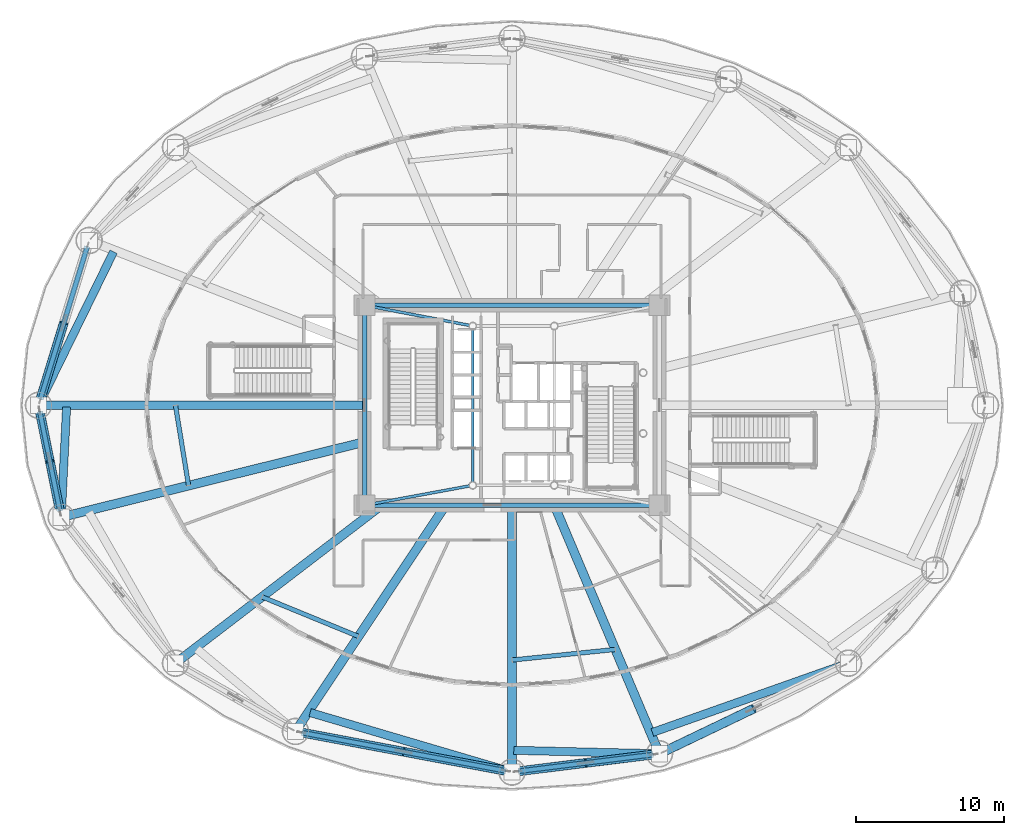
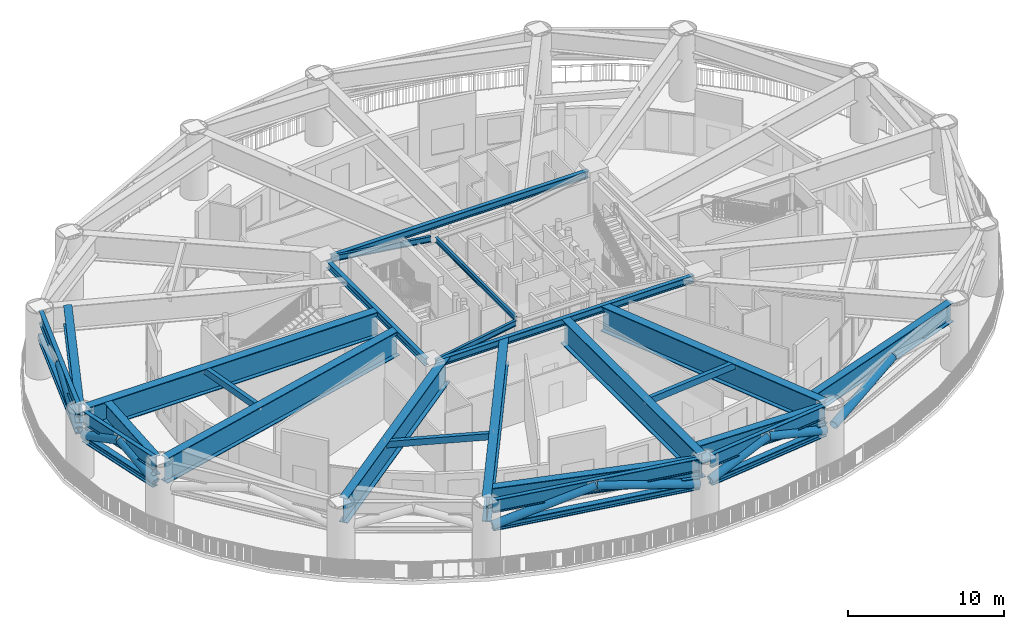
# One storey, part 5 of 39: 28 beams, 8 members.
"""IFC4 building model written with IfcOpenShell, lengths in metres."""

import ifcopenshell
import ifcopenshell.guid

model = None  # the IFC model being written
_history = None  # IfcOwnerHistory: only IFC2X3 demands one
_inside = {}  # id of a spatial element -> (the spatial element, [elements in it])
_under = {}  # id of a project, library or spatial element -> (it, [spatial elements below it])
_declared = {}  # id of a project -> (the project, [libraries it declares])
_typed = {}  # id of a type object -> (the type object, [elements of that type])
_made_of = {}  # id of a material, layer set ... -> (it, [elements and type objects made of it])


def new_model(schema):
    """Start an empty IFC model of exactly this schema.

    Asked for "IFC4X3", IfcOpenShell would pick the latest addendum, in which some entities
    have other attributes; the version numbers below select the first issue.
    IFC2X3 requires an IfcOwnerHistory on every rooted entity: one is made here for all.
    """
    global model, _history
    if schema == "IFC4X3":
        model = ifcopenshell.file(schema_version=(4, 3, 0, 0))
    else:
        model = ifcopenshell.file(schema=schema)
    _inside.clear()
    _under.clear()
    _declared.clear()
    _typed.clear()
    _made_of.clear()
    _history = None
    if model.schema == "IFC2X3":
        org = make("IfcOrganization", Name="unknown")
        user = make(
            "IfcPersonAndOrganization",
            ThePerson=make("IfcPerson", FamilyName="unknown"),
            TheOrganization=org,
        )
        app = make(
            "IfcApplication",
            ApplicationDeveloper=org,
            Version="unknown",
            ApplicationFullName="unknown",
            ApplicationIdentifier="unknown",
        )
        _history = make(
            "IfcOwnerHistory",
            OwningUser=user,
            OwningApplication=app,
            ChangeAction="ADDED",
            CreationDate=0,
        )
    return model


def make(cls, **values):
    """One entity of the class cls with the attributes given. An attribute that is None is left unset."""
    return model.create_entity(
        cls, **{name: value for name, value in values.items() if value is not None}
    )


def rooted(cls, **values):
    """An entity with a GlobalId (a new one), such as an element, a storey or a relation."""
    return make(cls, GlobalId=ifcopenshell.guid.new(), OwnerHistory=_history, **values)


def si_unit(unit_type, name, prefix=None):
    """IfcSIUnit, for example si_unit("LENGTHUNIT", "METRE", prefix="MILLI")."""
    return make("IfcSIUnit", UnitType=unit_type, Prefix=prefix, Name=name)


def assignment(units):
    """IfcUnitAssignment: the units of a project."""
    return None if units is None else make("IfcUnitAssignment", Units=units)


def point(xyz):
    """IfcCartesianPoint."""
    return None if xyz is None else make("IfcCartesianPoint", Coordinates=xyz)


def direction(xyz):
    """IfcDirection."""
    return None if xyz is None else make("IfcDirection", DirectionRatios=xyz)


def frame(location, z_axis=None, x_axis=None):
    """IfcAxis2Placement3D, a coordinate frame: its origin and axes. An axis left out is left unset."""
    return make(
        "IfcAxis2Placement3D",
        Location=point(location),
        Axis=direction(z_axis),
        RefDirection=direction(x_axis),
    )


def frame_2d(location, x_axis=None):
    """IfcAxis2Placement2D, a coordinate frame in the plane: its origin and x axis."""
    return make(
        "IfcAxis2Placement2D", Location=point(location), RefDirection=direction(x_axis)
    )


def origin():
    """The frame at (0, 0, 0) with its axes left unset."""
    return frame((0.0, 0.0, 0.0))


def origin_2d():
    """The frame at (0, 0) in the plane with its x axis left unset."""
    return frame_2d((0.0, 0.0))


def place(relative_to, where):
    """IfcLocalPlacement: puts the frame where relative to a parent placement (None: the world)."""
    return make(
        "IfcLocalPlacement", PlacementRelTo=relative_to, RelativePlacement=where
    )


def context(
    kind, dimensions, precision=None, world=None, true_north=None, identifier=None
):
    """IfcGeometricRepresentationContext, for example the 3D "Model" context."""
    return make(
        "IfcGeometricRepresentationContext",
        ContextIdentifier=identifier,
        ContextType=kind,
        CoordinateSpaceDimension=dimensions,
        Precision=precision,
        WorldCoordinateSystem=world,
        TrueNorth=true_north,
    )


def subcontext(parent, identifier, kind, view, scale=None):
    """IfcGeometricRepresentationSubContext, for example "Body" below "Model"."""
    return make(
        "IfcGeometricRepresentationSubContext",
        ContextIdentifier=identifier,
        ContextType=kind,
        ParentContext=parent,
        TargetScale=scale,
        TargetView=view,
    )


def project(units=None, contexts=None):
    """IfcProject with its units and contexts."""
    return rooted(
        "IfcProject",
        Name="project",
        RepresentationContexts=contexts,
        UnitsInContext=assignment(units),
    )


def spatial(cls, under=None, at=None, **own):
    """A site, building, storey or space (cls), placed at a placement, below another one or the project."""
    s = rooted(cls, ObjectPlacement=at, **own)
    if under is not None:
        _under.setdefault(under.id(), (under, []))[1].append(s)
    return s


def profile(cls, at=None, kind="AREA", **sizes):
    """A parametric profile (cls). Its sizes go by their IFC names, for example OverallWidth=200.0."""
    return make(cls, ProfileType=kind, Position=at, **sizes)


def hollow_rectangle(**sizes):
    """IfcRectangleHollowProfileDef."""
    return profile("IfcRectangleHollowProfileDef", **sizes)


def hollow_circle(**sizes):
    """IfcCircleHollowProfileDef."""
    return profile("IfcCircleHollowProfileDef", **sizes)


def i_section(**sizes):
    """IfcIShapeProfileDef."""
    return profile("IfcIShapeProfileDef", **sizes)


def extrude(swept, where, along, depth):
    """IfcExtrudedAreaSolid: the profile swept, set in the frame where, extruded along a direction by depth."""
    return make(
        "IfcExtrudedAreaSolid",
        SweptArea=swept,
        Position=where,
        ExtrudedDirection=direction(along),
        Depth=depth,
    )


def shape(context_of_items, identifier, shape_type, items):
    """IfcShapeRepresentation: the items that make up one representation, for example the "Body"."""
    return make(
        "IfcShapeRepresentation",
        ContextOfItems=context_of_items,
        RepresentationIdentifier=identifier,
        RepresentationType=shape_type,
        Items=items,
    )


def material(Name=None, Category=None):
    """IfcMaterial."""
    return make("IfcMaterial", Name=Name, Category=Category)


def material_profile(
    of_material, cross_section, Name=None, Category=None, Priority=None
):
    """IfcMaterialProfile: a cross section and its material."""
    return make(
        "IfcMaterialProfile",
        Name=Name,
        Material=of_material,
        Profile=cross_section,
        Priority=Priority,
        Category=Category,
    )


def profile_set(profiles, Name=None, composite=None):
    """IfcMaterialProfileSet."""
    return make(
        "IfcMaterialProfileSet",
        Name=Name,
        MaterialProfiles=profiles,
        CompositeProfile=composite,
    )


def made_of(thing, what):
    """Note that an element or type object is made of a material, layer set ...; save() writes the relation."""
    if what is not None:
        _made_of.setdefault(what.id(), (what, []))[1].append(thing)
    return thing


def type_object(cls, material=None, **own):
    """A type object (cls), such as IfcWallType, which elements share."""
    return made_of(rooted(cls, **own), material)


def element(
    cls,
    number,
    at=None,
    inside=None,
    cuts=None,
    type_object=None,
    material=None,
    context=None,
    identifier="Body",
    shape_type=None,
    held_by="IfcProductDefinitionShape",
    body=None,
    shapes=None,
    **own,
):
    """One element of the class cls, such as IfcWall. Its Tag is "e" and its number.

    at: its placement. inside: the storey or other place that contains it. cuts: it is an
    opening in that element (IfcRelVoidsElement). A single representation is given by context,
    identifier, shape_type and body (its items); several are given by shapes. held_by: the class
    of the entity that holds the representations. save() writes the other relations.
    """
    e = rooted(cls, Tag="e%d" % number, ObjectPlacement=at, **own)
    if body is not None:
        shapes = [shape(context, identifier, shape_type, body)]
    if shapes is not None:
        e.Representation = make(held_by, Representations=shapes)
    if inside is not None:
        _inside.setdefault(inside.id(), (inside, []))[1].append(e)
    if cuts is not None:
        rooted(
            "IfcRelVoidsElement", RelatingBuildingElement=cuts, RelatedOpeningElement=e
        )
    if type_object is not None:
        _typed.setdefault(type_object.id(), (type_object, []))[1].append(e)
    return made_of(e, material)


def aggregate(whole, parts):
    """IfcRelAggregates: a whole, such as a stair, and the parts it consists of."""
    return rooted("IfcRelAggregates", RelatingObject=whole, RelatedObjects=parts)


def save(model, path):
    """Write the relations noted so far, then the file.

    IfcRelAggregates (storeys below a building ...), IfcRelContainedInSpatialStructure (elements
    in a storey), IfcRelDefinesByType, IfcRelAssociatesMaterial and IfcRelDeclares: one each for
    every whole, place, type object, material and project.
    """
    for whole, parts in _under.values():
        aggregate(whole, parts)
    for where, things in _inside.values():
        rooted(
            "IfcRelContainedInSpatialStructure",
            RelatedElements=things,
            RelatingStructure=where,
        )
    for kind, things in _typed.values():
        rooted("IfcRelDefinesByType", RelatedObjects=things, RelatingType=kind)
    for what, things in _made_of.values():
        rooted("IfcRelAssociatesMaterial", RelatedObjects=things, RelatingMaterial=what)
    for by, libraries in _declared.values():
        rooted("IfcRelDeclares", RelatingContext=by, RelatedDefinitions=libraries)
    model.write(path)


model = new_model("IFC4")

# Units and contexts
model_context = context("Model", 3, precision=1e-05, world=origin(), true_north=direction((0.0, 1.0)))
body_context = subcontext(model_context, "Body", "Model", "MODEL_VIEW")
ifc_project = project(units=[si_unit("LENGTHUNIT", "METRE"), si_unit("AREAUNIT", "SQUARE_METRE"), si_unit("VOLUMEUNIT", "CUBIC_METRE"), si_unit("PLANEANGLEUNIT", "RADIAN"), si_unit("MASSUNIT", "GRAM", prefix="KILO")], contexts=[model_context])

# Site, building, storey
site_placement = place(None, origin())
site = spatial("IfcSite", under=ifc_project, at=site_placement, CompositionType="ELEMENT")
building_placement = place(site_placement, origin())
building = spatial("IfcBuilding", under=site, at=building_placement, Name="Linh Dai School and Residence Tower", CompositionType="ELEMENT")
storey_placement = place(building_placement, frame((0.0, 0.0, 27.0)))
storey = spatial("IfcBuildingStorey", under=building, at=storey_placement, Name="L06", CompositionType="ELEMENT", Elevation=27.0)

# Beams
ifc_material = material(Name="Structural Steel S355JR", Category="steel")
ifc_material_profile_1 = material_profile(ifc_material, i_section(OverallWidth=0.41796875, OverallDepth=0.506103515625, WebThickness=0.038818359375, FlangeThickness=0.05810546875, FilletRadius=0.014892578125, at=origin_2d()), Name="HD 400x551")
ifc_profile_set_1 = profile_set([ifc_material_profile_1], Name="Structural Steel S355JR")
beam_type_1 = type_object("IfcBeamType", Name="BM-BC1", PredefinedType="BEAM", material=ifc_profile_set_1)
beam_1_placement = place(storey_placement, frame((7.343017578125, 37.720458984375, 3.050048828125), z_axis=(-0.293626522026, -0.955920219246, 0.0), x_axis=(0.955920219246, -0.293626522026, 0.0)))
element("IfcBeam", 1, at=beam_1_placement, inside=storey, type_object=beam_type_1, Name="L06 Ring Belt Truss BT1 Bottom Chord 08", PredefinedType="BEAM", context=body_context, shape_type="SweptSolid", body=[
    extrude(i_section(OverallWidth=0.41796875, OverallDepth=0.506103515625, WebThickness=0.038818359375, FlangeThickness=0.05810546875, FilletRadius=0.014892578125, at=origin_2d()), origin(), (0.0, 0.0, 1.0), 10.794921875),
])
beam_2_placement = place(storey_placement, frame((4.13330078125, 26.58837890625, 3.050048828125), z_axis=(0.198405440792, -0.980120034008, 0.0), x_axis=(0.980120034008, 0.198405440792, 0.0)))
element("IfcBeam", 2, at=beam_2_placement, inside=storey, type_object=beam_type_1, Name="L06 Ring Belt Truss BT1 Bottom Chord 09", PredefinedType="BEAM", context=body_context, shape_type="SweptSolid", body=[
    extrude(i_section(OverallWidth=0.41796875, OverallDepth=0.506103515625, WebThickness=0.038818359375, FlangeThickness=0.05810546875, FilletRadius=0.014892578125, at=origin_2d()), origin(), (0.0, 0.0, 1.0), 6.86865234375),
])
beam_3_placement = place(storey_placement, frame((21.803466796875, 4.917236328125, 3.050048828125), z_axis=(0.98280551354, -0.184643772045, 0.0), x_axis=(0.184643772045, 0.98280551354, 0.0)))
element("IfcBeam", 3, at=beam_3_placement, inside=storey, type_object=beam_type_1, Name="L06 Ring Belt Truss BT1 Bottom Chord 12", PredefinedType="BEAM", context=body_context, shape_type="SweptSolid", body=[
    extrude(i_section(OverallWidth=0.41796875, OverallDepth=0.506103515625, WebThickness=0.038818359375, FlangeThickness=0.05810546875, FilletRadius=0.014892578125, at=origin_2d()), origin(), (0.0, 0.0, 1.0), 14.02490234375),
])
beam_4_placement = place(storey_placement, frame((36.416748046875, 2.3017578125, 3.050048828125), z_axis=(0.992402470446, 0.123033884169, 0.0), x_axis=(-0.123033884169, 0.992402470446, 0.0)))
element("IfcBeam", 4, at=beam_4_placement, inside=storey, type_object=beam_type_1, Name="L06 Ring Belt Truss BT1 Bottom Chord 13", PredefinedType="BEAM", context=body_context, shape_type="SweptSolid", body=[
    extrude(i_section(OverallWidth=0.41796875, OverallDepth=0.506103515625, WebThickness=0.038818359375, FlangeThickness=0.05810546875, FilletRadius=0.014892578125, at=origin_2d()), origin(), (0.0, 0.0, 1.0), 9.1875),
])
ifc_material_profile_2 = material_profile(ifc_material, hollow_rectangle(XDim=0.300048828125, YDim=0.5, WallThickness=0.01611328125, at=origin_2d()), Name="RHS 500x300x16")
ifc_profile_set_2 = profile_set([ifc_material_profile_2], Name="Structural Steel S355JR")
beam_type_2 = type_object("IfcBeamType", Name="BM-BX5", PredefinedType="BEAM", material=ifc_profile_set_2)
beam_5_placement = place(storey_placement, frame((13.290771484375, 26.9951171875, 4.89990234375), z_axis=(0.161524054525, -0.986868775375, 0.0), x_axis=(0.986868775375, 0.161524054525, 0.0)))
element("IfcBeam", 5, at=beam_5_placement, inside=storey, type_object=beam_type_2, Name="L06 Secondary Circumferential Floor Beam 05", PredefinedType="BEAM", context=body_context, shape_type="SweptSolid", body=[
    extrude(hollow_rectangle(XDim=0.300048828125, YDim=0.5, WallThickness=0.01611328125, at=origin_2d()), origin(), (0.0, 0.0, 1.0), 5.482177734375),
])
beam_6_placement = place(storey_placement, frame((19.13623046875, 14.07080078125, 4.89990234375), z_axis=(0.925227399646, -0.3794130453, 0.0), x_axis=(0.3794130453, 0.925227399646, 0.0)))
element("IfcBeam", 6, at=beam_6_placement, inside=storey, type_object=beam_type_2, Name="L06 Secondary Circumferential Floor Beam 06", PredefinedType="BEAM", context=body_context, shape_type="SweptSolid", body=[
    extrude(hollow_rectangle(XDim=0.300048828125, YDim=0.5, WallThickness=0.01611328125, at=origin_2d()), origin(), (0.0, 0.0, 1.0), 7.029296875),
])
beam_7_placement = place(storey_placement, frame((36.0048828125, 9.810546875, 4.89990234375), z_axis=(0.994772627995, 0.102114732487, 0.0), x_axis=(-0.102114732487, 0.994772627995, 0.0)))
element("IfcBeam", 7, at=beam_7_placement, inside=storey, type_object=beam_type_2, Name="L06 Secondary Circumferential Floor Beam 07", PredefinedType="BEAM", context=body_context, shape_type="SweptSolid", body=[
    extrude(hollow_rectangle(XDim=0.300048828125, YDim=0.5, WallThickness=0.01611328125, at=origin_2d()), origin(), (0.0, 0.0, 1.0), 6.998046875),
])
ifc_material_profile_3 = material_profile(ifc_material, i_section(OverallWidth=0.300048828125, OverallDepth=1.0, WebThickness=0.01904296875, FlangeThickness=0.035888671875, FilletRadius=0.030029296875, at=origin_2d()), Name="HEB 1000")
ifc_profile_set_3 = profile_set([ifc_material_profile_3], Name="Structural Steel S355JR")
beam_type_3 = type_object("IfcBeamType", Name="BM-RG10", PredefinedType="BEAM", material=ifc_profile_set_3)
beam_8_placement = place(storey_placement, frame((7.343017578125, 37.720458984375, 4.64990234375), z_axis=(-0.293626522026, -0.955920219246, 0.0), x_axis=(0.955920219246, -0.293626522026, 0.0)))
element("IfcBeam", 8, at=beam_8_placement, inside=storey, type_object=beam_type_3, Name="L06 Perimeter Elliptical Ring Beam 08", PredefinedType="BEAM", context=body_context, shape_type="SweptSolid", body=[
    extrude(i_section(OverallWidth=0.300048828125, OverallDepth=1.0, WebThickness=0.01904296875, FlangeThickness=0.035888671875, FilletRadius=0.030029296875, at=origin_2d()), origin(), (0.0, 0.0, 1.0), 10.794921875),
])
beam_9_placement = place(storey_placement, frame((4.13330078125, 26.58837890625, 4.64990234375), z_axis=(0.198405440792, -0.980120034008, 0.0), x_axis=(0.980120034008, 0.198405440792, 0.0)))
element("IfcBeam", 9, at=beam_9_placement, inside=storey, type_object=beam_type_3, Name="L06 Perimeter Elliptical Ring Beam 09", PredefinedType="BEAM", context=body_context, shape_type="SweptSolid", body=[
    extrude(i_section(OverallWidth=0.300048828125, OverallDepth=1.0, WebThickness=0.01904296875, FlangeThickness=0.035888671875, FilletRadius=0.030029296875, at=origin_2d()), origin(), (0.0, 0.0, 1.0), 6.86865234375),
])
beam_10_placement = place(storey_placement, frame((21.803466796875, 4.917236328125, 4.64990234375), z_axis=(0.98280551354, -0.184643772045, 0.0), x_axis=(0.184643772045, 0.98280551354, 0.0)))
element("IfcBeam", 10, at=beam_10_placement, inside=storey, type_object=beam_type_3, Name="L06 Perimeter Elliptical Ring Beam 12", PredefinedType="BEAM", context=body_context, shape_type="SweptSolid", body=[
    extrude(i_section(OverallWidth=0.300048828125, OverallDepth=1.0, WebThickness=0.01904296875, FlangeThickness=0.035888671875, FilletRadius=0.030029296875, at=origin_2d()), origin(), (0.0, 0.0, 1.0), 14.02490234375),
])
beam_11_placement = place(storey_placement, frame((36.416748046875, 2.3017578125, 4.64990234375), z_axis=(0.992402470446, 0.123033884169, 0.0), x_axis=(-0.123033884169, 0.992402470446, 0.0)))
element("IfcBeam", 11, at=beam_11_placement, inside=storey, type_object=beam_type_3, Name="L06 Perimeter Elliptical Ring Beam 13", PredefinedType="BEAM", context=body_context, shape_type="SweptSolid", body=[
    extrude(i_section(OverallWidth=0.300048828125, OverallDepth=1.0, WebThickness=0.01904296875, FlangeThickness=0.035888671875, FilletRadius=0.030029296875, at=origin_2d()), origin(), (0.0, 0.0, 1.0), 9.1875),
])
ifc_material_profile_4 = material_profile(ifc_material, i_section(OverallWidth=0.300048828125, OverallDepth=0.550048828125, WebThickness=0.014892578125, FlangeThickness=0.029052734375, FilletRadius=0.027099609375, at=origin_2d()), Name="HEB 550")
ifc_profile_set_4 = profile_set([ifc_material_profile_4], Name="Structural Steel S355JR")
beam_type_4 = type_object("IfcBeamType", Name="BM-RG55", PredefinedType="BEAM", material=ifc_profile_set_4)
for number, where, z_axis, x_axis, name in (
    (12, (26.469970703125, 20.25, 4.875), (1.0, 0.0, 0.0), (0.0, 1.0, 0.0), "L06 Core Perimeter Coupling Girder 1"),
    (13, (45.530029296875, 33.75, 4.875), (-1.0, 0.0, 0.0), (0.0, -1.0, 0.0), "L06 Core Perimeter Coupling Girder 3"),
):
    element("IfcBeam", number, at=place(storey_placement, frame(where, z_axis=z_axis, x_axis=x_axis)), inside=storey, type_object=beam_type_4, Name=name, PredefinedType="BEAM", context=body_context, shape_type="SweptSolid", body=[
        extrude(i_section(OverallWidth=0.300048828125, OverallDepth=0.550048828125, WebThickness=0.014892578125, FlangeThickness=0.029052734375, FilletRadius=0.027099609375, at=origin_2d()), origin(), (0.0, 0.0, 1.0), 19.06005859375),
    ])
beam_12_placement = place(storey_placement, frame((26.050048828125, 33.330078125, 4.875), z_axis=(0.0, -1.0, 0.0), x_axis=(1.0, 0.0, 0.0)))
element("IfcBeam", 14, at=beam_12_placement, inside=storey, type_object=beam_type_4, Name="L06 Core Perimeter Coupling Girder 4", PredefinedType="BEAM", context=body_context, shape_type="SweptSolid", body=[
    extrude(i_section(OverallWidth=0.300048828125, OverallDepth=0.550048828125, WebThickness=0.014892578125, FlangeThickness=0.029052734375, FilletRadius=0.027099609375, at=origin_2d()), origin(), (0.0, 0.0, 1.0), 12.66015625),
])
ifc_material_profile_5 = material_profile(ifc_material, i_section(OverallWidth=0.179931640625, OverallDepth=0.39990234375, WebThickness=0.008544921875, FlangeThickness=0.013427734375, FilletRadius=0.02099609375, at=origin_2d()), Name="IPE 400")
ifc_profile_set_5 = profile_set([ifc_material_profile_5], Name="Structural Steel S355JR")
beam_type_5 = type_object("IfcBeamType", Name="BM-SB40", PredefinedType="BEAM", material=ifc_profile_set_5)
beam_13_placement = place(storey_placement, frame((33.35009765625, 32.1259765625, 4.949951171875), z_axis=(0.0, -1.0, 0.0), x_axis=(1.0, 0.0, 0.0)))
element("IfcBeam", 15, at=beam_13_placement, inside=storey, type_object=beam_type_5, Name="L06 Core Mast Pier Tie Beam 4", PredefinedType="BEAM", context=body_context, shape_type="SweptSolid", body=[
    extrude(i_section(OverallWidth=0.179931640625, OverallDepth=0.39990234375, WebThickness=0.008544921875, FlangeThickness=0.013427734375, FilletRadius=0.02099609375, at=origin_2d()), origin(), (0.0, 0.0, 1.0), 10.302001953125),
])
ifc_material_profile_6 = material_profile(ifc_material, i_section(OverallWidth=0.18994140625, OverallDepth=0.449951171875, WebThickness=0.009521484375, FlangeThickness=0.0146484375, FilletRadius=0.02099609375, at=origin_2d()), Name="IPE 450")
ifc_profile_set_6 = profile_set([ifc_material_profile_6], Name="Structural Steel S355JR")
beam_type_6 = type_object("IfcBeamType", Name="BM-SB45", PredefinedType="BEAM", material=ifc_profile_set_6)
beam_14_placement = place(storey_placement, frame((26.462890625, 20.326416015625, 4.925048828125), z_axis=(0.983326152819, 0.18185070025, 0.0), x_axis=(-0.18185070025, 0.983326152819, 0.0)))
element("IfcBeam", 16, at=beam_14_placement, inside=storey, type_object=beam_type_6, Name="L06 Core Corner-to-Mast Pier Beam 1", PredefinedType="BEAM", context=body_context, shape_type="SweptSolid", body=[
    extrude(i_section(OverallWidth=0.18994140625, OverallDepth=0.449951171875, WebThickness=0.009521484375, FlangeThickness=0.0146484375, FilletRadius=0.02099609375, at=origin_2d()), origin(), (0.0, 0.0, 1.0), 6.77978515625),
])
beam_15_placement = place(storey_placement, frame((26.46240234375, 33.6708984375, 4.925048828125), z_axis=(0.982100456787, -0.188357884832, 0.0), x_axis=(0.188357884832, 0.982100456787, 0.0)))
element("IfcBeam", 17, at=beam_15_placement, inside=storey, type_object=beam_type_6, Name="L06 Core Corner-to-Mast Pier Beam 4", PredefinedType="BEAM", context=body_context, shape_type="SweptSolid", body=[
    extrude(i_section(OverallWidth=0.18994140625, OverallDepth=0.449951171875, WebThickness=0.009521484375, FlangeThickness=0.0146484375, FilletRadius=0.02099609375, at=origin_2d()), origin(), (0.0, 0.0, 1.0), 6.789306640625),
])
ifc_material_profile_7 = material_profile(ifc_material, i_section(OverallWidth=0.550048828125, OverallDepth=1.5, WebThickness=0.028076171875, FlangeThickness=0.050048828125, at=origin_2d()), Name="PG 1500x550x28x50")
ifc_profile_set_7 = profile_set([ifc_material_profile_7], Name="Structural Steel S355JR")
beam_type_7 = type_object("IfcBeamType", Name="BM-TG15", PredefinedType="BEAM", material=ifc_profile_set_7)
beam_16_placement = place(storey_placement, frame((9.11181640625, 37.35595703125, 4.39990234375), z_axis=(-0.439141532385, -0.898417895266, 0.0), x_axis=(0.898417895266, -0.439141532385, 0.0)))
element("IfcBeam", 18, at=beam_16_placement, inside=storey, type_object=beam_type_7, Name="L06 Setback Diaphragm Transfer Girder 08", PredefinedType="BEAM", context=body_context, shape_type="SweptSolid", body=[
    extrude(i_section(OverallWidth=0.550048828125, OverallDepth=1.5, WebThickness=0.028076171875, FlangeThickness=0.050048828125, at=origin_2d()), origin(), (0.0, 0.0, 1.0), 11.106689453125),
])
beam_17_placement = place(storey_placement, frame((5.944091796875, 26.880126953125, 4.39990234375), z_axis=(-0.048970336446, -0.998800233354, 0.0), x_axis=(0.998800233354, -0.048970336446, 0.0)))
element("IfcBeam", 19, at=beam_17_placement, inside=storey, type_object=beam_type_7, Name="L06 Setback Diaphragm Transfer Girder 09", PredefinedType="BEAM", context=body_context, shape_type="SweptSolid", body=[
    extrude(i_section(OverallWidth=0.550048828125, OverallDepth=1.5, WebThickness=0.028076171875, FlangeThickness=0.050048828125, at=origin_2d()), origin(), (0.0, 0.0, 1.0), 7.024658203125),
])
beam_18_placement = place(storey_placement, frame((22.376708984375, 6.266845703125, 4.39990234375), z_axis=(0.959177158127, -0.282805903984, 0.0), x_axis=(0.282805903984, 0.959177158127, 0.0)))
element("IfcBeam", 20, at=beam_18_placement, inside=storey, type_object=beam_type_7, Name="L06 Setback Diaphragm Transfer Girder 12", PredefinedType="BEAM", context=body_context, shape_type="SweptSolid", body=[
    extrude(i_section(OverallWidth=0.550048828125, OverallDepth=1.5, WebThickness=0.028076171875, FlangeThickness=0.050048828125, at=origin_2d()), origin(), (0.0, 0.0, 1.0), 13.783203125),
])
beam_19_placement = place(storey_placement, frame((36.119873046875, 3.717041015625, 4.39990234375), z_axis=(0.999719034433, -0.023703421554, 0.0), x_axis=(0.023703421554, 0.999719034433, 0.0)))
element("IfcBeam", 21, at=beam_19_placement, inside=storey, type_object=beam_type_7, Name="L06 Setback Diaphragm Transfer Girder 13", PredefinedType="BEAM", context=body_context, shape_type="SweptSolid", body=[
    extrude(i_section(OverallWidth=0.550048828125, OverallDepth=1.5, WebThickness=0.028076171875, FlangeThickness=0.050048828125, at=origin_2d()), origin(), (0.0, 0.0, 1.0), 9.4140625),
])
beam_20_placement = place(storey_placement, frame((45.470947265625, 4.920166015625, 4.39990234375), z_axis=(0.942803173682, 0.333349929796, 0.0), x_axis=(-0.333349929796, 0.942803173682, 0.0)))
element("IfcBeam", 22, at=beam_20_placement, inside=storey, type_object=beam_type_7, Name="L06 Setback Diaphragm Transfer Girder 14", PredefinedType="BEAM", context=body_context, shape_type="SweptSolid", body=[
    extrude(i_section(OverallWidth=0.550048828125, OverallDepth=1.5, WebThickness=0.028076171875, FlangeThickness=0.050048828125, at=origin_2d()), origin(), (0.0, 0.0, 1.0), 13.6171875),
])
ifc_material_profile_8 = material_profile(ifc_material, i_section(OverallWidth=0.60009765625, OverallDepth=1.949951171875, WebThickness=0.031982421875, FlangeThickness=0.054931640625, at=origin_2d()), Name="PG 1950x600x32x55")
ifc_profile_set_8 = profile_set([ifc_material_profile_8], Name="Structural Steel S355JR")
beam_type_8 = type_object("IfcBeamType", Name="BM-TG19", PredefinedType="BEAM", material=ifc_profile_set_8)
beam_21_placement = place(storey_placement, frame((26.050048828125, 27.0, 4.175048828125), z_axis=(-1.0, 0.0, 0.0), x_axis=(0.0, -1.0, 0.0)))
element("IfcBeam", 23, at=beam_21_placement, inside=storey, type_object=beam_type_8, Name="L06 Radial Setback Transfer Girder 09", PredefinedType="BEAM", context=body_context, shape_type="SweptSolid", body=[
    extrude(i_section(OverallWidth=0.60009765625, OverallDepth=1.949951171875, WebThickness=0.031982421875, FlangeThickness=0.054931640625, at=origin_2d()), origin(), (0.0, 0.0, 1.0), 21.580078125),
])
beam_22_placement = place(storey_placement, frame((26.050048828125, 24.52880859375, 4.175048828125), z_axis=(-0.970515097282, -0.241040340913, 0.0), x_axis=(0.241040340913, -0.970515097282, 0.0)))
element("IfcBeam", 24, at=beam_22_placement, inside=storey, type_object=beam_type_8, Name="L06 Radial Setback Transfer Girder 10", PredefinedType="BEAM", context=body_context, shape_type="SweptSolid", body=[
    extrude(i_section(OverallWidth=0.60009765625, OverallDepth=1.949951171875, WebThickness=0.031982421875, FlangeThickness=0.054931640625, at=origin_2d()), origin(), (0.0, 0.0, 1.0), 20.672607421875),
])
beam_23_placement = place(storey_placement, frame((27.192138671875, 20.25, 4.175048828125), z_axis=(-0.793713040757, -0.608292371259, 0.0), x_axis=(0.608292371259, -0.793713040757, 0.0)))
element("IfcBeam", 25, at=beam_23_placement, inside=storey, type_object=beam_type_8, Name="L06 Radial Setback Transfer Girder 11", PredefinedType="BEAM", context=body_context, shape_type="SweptSolid", body=[
    extrude(i_section(OverallWidth=0.60009765625, OverallDepth=1.949951171875, WebThickness=0.031982421875, FlangeThickness=0.054931640625, at=origin_2d()), origin(), (0.0, 0.0, 1.0), 17.08935546875),
])
beam_24_placement = place(storey_placement, frame((31.518798828125, 20.25, 4.175048828125), z_axis=(-0.553108911901, -0.833108955404, 0.0), x_axis=(0.833108955404, -0.553108911901, 0.0)))
element("IfcBeam", 26, at=beam_24_placement, inside=storey, type_object=beam_type_8, Name="L06 Radial Setback Transfer Girder 12", PredefinedType="BEAM", context=body_context, shape_type="SweptSolid", body=[
    extrude(i_section(OverallWidth=0.60009765625, OverallDepth=1.949951171875, WebThickness=0.031982421875, FlangeThickness=0.054931640625, at=origin_2d()), origin(), (0.0, 0.0, 1.0), 17.89111328125),
])
beam_25_placement = place(storey_placement, frame((36.0, 20.25, 4.175048828125), z_axis=(0.0, -1.0, 0.0), x_axis=(1.0, 0.0, 0.0)))
element("IfcBeam", 27, at=beam_25_placement, inside=storey, type_object=beam_type_8, Name="L06 Radial Setback Transfer Girder 13", PredefinedType="BEAM", context=body_context, shape_type="SweptSolid", body=[
    extrude(i_section(OverallWidth=0.60009765625, OverallDepth=1.949951171875, WebThickness=0.031982421875, FlangeThickness=0.054931640625, at=origin_2d()), origin(), (0.0, 0.0, 1.0), 17.580078125),
])
beam_26_placement = place(storey_placement, frame((38.8564453125, 20.25, 4.175048828125), z_axis=(0.389695518128, -0.920943756779, 0.0), x_axis=(0.920943756779, 0.389695518128, 0.0)))
element("IfcBeam", 28, at=beam_26_placement, inside=storey, type_object=beam_type_8, Name="L06 Radial Setback Transfer Girder 14", PredefinedType="BEAM", context=body_context, shape_type="SweptSolid", body=[
    extrude(i_section(OverallWidth=0.60009765625, OverallDepth=1.949951171875, WebThickness=0.031982421875, FlangeThickness=0.054931640625, at=origin_2d()), origin(), (0.0, 0.0, 1.0), 17.785400390625),
])

# Members
ifc_material_profile_9 = material_profile(ifc_material, hollow_circle(Radius=0.304931640625, WallThickness=0.02490234375, at=origin_2d()), Name="CHS 610x25")
ifc_profile_set_9 = profile_set([ifc_material_profile_9], Name="Structural Steel S355JR")
member_type = type_object("IfcMemberType", Name="MBR-BT1", PredefinedType="BRACE", material=ifc_profile_set_9)
member_1_placement = place(storey_placement, frame((4.1689453125, 27.38720703125, 3.161376953125), z_axis=(0.283095981527, 0.921703800972, 0.265176862709), x_axis=(-0.955926160006, 0.293607180798, 0.0)))
element("IfcMember", 29, at=member_1_placement, inside=storey, type_object=member_type, Name="L06 Ring Belt Truss BT1 Diagonal 08B", PredefinedType="BRACE", context=body_context, shape_type="SweptSolid", body=[
    extrude(hollow_circle(Radius=0.304931640625, WallThickness=0.02490234375, at=origin_2d()), origin(), (0.0, 0.0, 1.0), 5.61328125),
])
member_2_placement = place(storey_placement, frame((4.126953125, 26.619873046875, 3.2109375), z_axis=(0.183243095957, -0.905222195008, 0.383398937725), x_axis=(0.980120201391, 0.198404613921, 0.0)))
element("IfcMember", 30, at=member_2_placement, inside=storey, type_object=member_type, Name="L06 Ring Belt Truss BT1 Diagonal 09A", PredefinedType="BRACE", context=body_context, shape_type="SweptSolid", body=[
    extrude(hollow_circle(Radius=0.304931640625, WallThickness=0.02490234375, at=origin_2d()), origin(), (0.0, 0.0, 1.0), 3.753173828125),
])
member_3_placement = place(storey_placement, frame((5.50244140625, 19.82470703125, 3.2109375), z_axis=(-0.183232306469, 0.905233940053, 0.383376362914), x_axis=(-0.980122973584, -0.198390918775, 0.0)))
element("IfcMember", 31, at=member_3_placement, inside=storey, type_object=member_type, Name="L06 Ring Belt Truss BT1 Diagonal 09B", PredefinedType="BRACE", context=body_context, shape_type="SweptSolid", body=[
    extrude(hollow_circle(Radius=0.304931640625, WallThickness=0.02490234375, at=origin_2d()), origin(), (0.0, 0.0, 1.0), 3.75341796875),
])
member_4_placement = place(storey_placement, frame((21.79443359375, 4.9189453125, 3.138427734375), z_axis=(0.960794099474, -0.180527045295, 0.210439265189), x_axis=(0.184662198252, 0.982802051553, 0.0)))
element("IfcMember", 32, at=member_4_placement, inside=storey, type_object=member_type, Name="L06 Ring Belt Truss BT1 Diagonal 12A", PredefinedType="BRACE", context=body_context, shape_type="SweptSolid", body=[
    extrude(hollow_circle(Radius=0.304931640625, WallThickness=0.02490234375, at=origin_2d()), origin(), (0.0, 0.0, 1.0), 7.182373046875),
])
member_5_placement = place(storey_placement, frame((35.596435546875, 2.325927734375, 3.138427734375), z_axis=(-0.960802607279, 0.180488267048, 0.21043368386), x_axis=(-0.184622304862, -0.982809546427, 0.0)))
element("IfcMember", 33, at=member_5_placement, inside=storey, type_object=member_type, Name="L06 Ring Belt Truss BT1 Diagonal 12B", PredefinedType="BRACE", context=body_context, shape_type="SweptSolid", body=[
    extrude(hollow_circle(Radius=0.304931640625, WallThickness=0.02490234375, at=origin_2d()), origin(), (0.0, 0.0, 1.0), 7.1826171875),
])
member_6_placement = place(storey_placement, frame((36.39697265625, 2.29931640625, 3.177734375), z_axis=(0.945438121105, 0.117209322362, 0.303988048964), x_axis=(-0.123031693255, 0.992402742063, 0.0)))
element("IfcMember", 34, at=member_6_placement, inside=storey, type_object=member_type, Name="L06 Ring Belt Truss BT1 Diagonal 13A", PredefinedType="BRACE", context=body_context, shape_type="SweptSolid", body=[
    extrude(hollow_circle(Radius=0.304931640625, WallThickness=0.02490234375, at=origin_2d()), origin(), (0.0, 0.0, 1.0), 4.8427734375),
])
member_7_placement = place(storey_placement, frame((45.553955078125, 3.4345703125, 3.177734375), z_axis=(-0.945432769587, -0.117214909043, 0.304002538293), x_axis=(0.12303815458, -0.992401941009, 0.0)))
element("IfcMember", 35, at=member_7_placement, inside=storey, type_object=member_type, Name="L06 Ring Belt Truss BT1 Diagonal 13B", PredefinedType="BRACE", context=body_context, shape_type="SweptSolid", body=[
    extrude(hollow_circle(Radius=0.304931640625, WallThickness=0.02490234375, at=origin_2d()), origin(), (0.0, 0.0, 1.0), 4.842529296875),
])
member_8_placement = place(storey_placement, frame((46.320556640625, 3.6611328125, 3.142578125), z_axis=(0.879472790377, 0.421705183633, 0.220663429422), x_axis=(-0.432362923396, 0.901699674211, 0.0)))
element("IfcMember", 36, at=member_8_placement, inside=storey, type_object=member_type, Name="L06 Ring Belt Truss BT1 Diagonal 14A", PredefinedType="BRACE", context=body_context, shape_type="SweptSolid", body=[
    extrude(hollow_circle(Radius=0.304931640625, WallThickness=0.02490234375, at=origin_2d()), origin(), (0.0, 0.0, 1.0), 6.830810546875),
])

save(model, "model.ifc")
